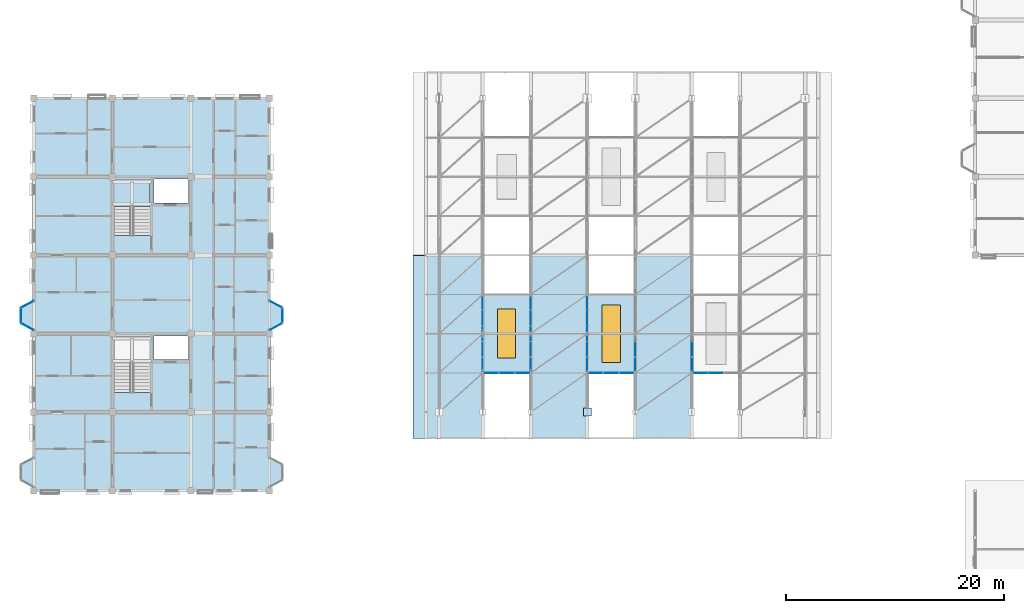
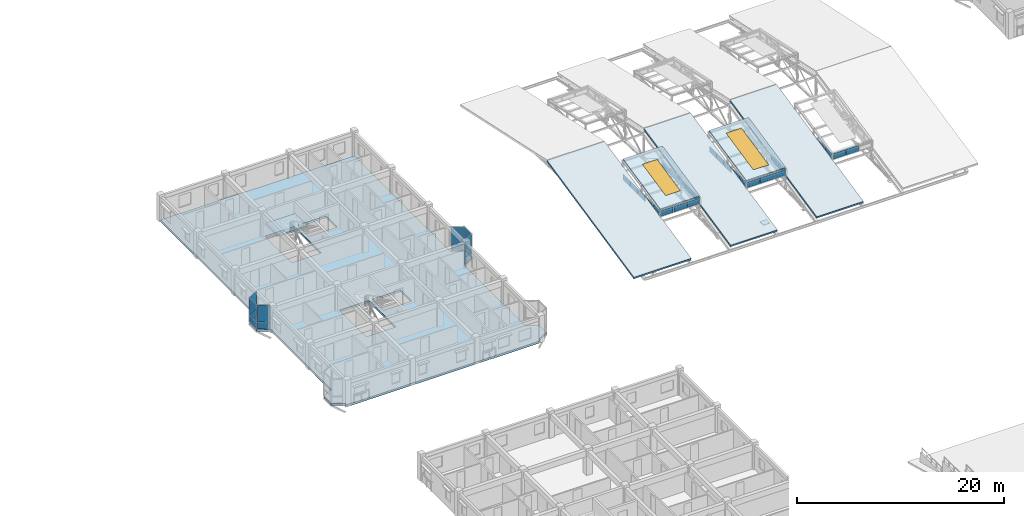
# One storey, part 79 of 124: 40 plates, 7 slabs, 2 windows, 2 openings, 15 elements without a shape of their own.
"""IFC4 building model written with IfcOpenShell, lengths in metres."""

import ifcopenshell
import ifcopenshell.guid

model = None  # the IFC model being written
_history = None  # IfcOwnerHistory: only IFC2X3 demands one
_inside = {}  # id of a spatial element -> (the spatial element, [elements in it])
_under = {}  # id of a project, library or spatial element -> (it, [spatial elements below it])
_declared = {}  # id of a project -> (the project, [libraries it declares])
_typed = {}  # id of a type object -> (the type object, [elements of that type])
_made_of = {}  # id of a material, layer set ... -> (it, [elements and type objects made of it])


def new_model(schema):
    """Start an empty IFC model of exactly this schema.

    Asked for "IFC4X3", IfcOpenShell would pick the latest addendum, in which some entities
    have other attributes; the version numbers below select the first issue.
    IFC2X3 requires an IfcOwnerHistory on every rooted entity: one is made here for all.
    """
    global model, _history
    if schema == "IFC4X3":
        model = ifcopenshell.file(schema_version=(4, 3, 0, 0))
    else:
        model = ifcopenshell.file(schema=schema)
    _inside.clear()
    _under.clear()
    _declared.clear()
    _typed.clear()
    _made_of.clear()
    _history = None
    if model.schema == "IFC2X3":
        org = make("IfcOrganization", Name="unknown")
        user = make(
            "IfcPersonAndOrganization",
            ThePerson=make("IfcPerson", FamilyName="unknown"),
            TheOrganization=org,
        )
        app = make(
            "IfcApplication",
            ApplicationDeveloper=org,
            Version="unknown",
            ApplicationFullName="unknown",
            ApplicationIdentifier="unknown",
        )
        _history = make(
            "IfcOwnerHistory",
            OwningUser=user,
            OwningApplication=app,
            ChangeAction="ADDED",
            CreationDate=0,
        )
    return model


def make(cls, **values):
    """One entity of the class cls with the attributes given. An attribute that is None is left unset."""
    return model.create_entity(
        cls, **{name: value for name, value in values.items() if value is not None}
    )


def rooted(cls, **values):
    """An entity with a GlobalId (a new one), such as an element, a storey or a relation."""
    return make(cls, GlobalId=ifcopenshell.guid.new(), OwnerHistory=_history, **values)


def si_unit(unit_type, name, prefix=None):
    """IfcSIUnit, for example si_unit("LENGTHUNIT", "METRE", prefix="MILLI")."""
    return make("IfcSIUnit", UnitType=unit_type, Prefix=prefix, Name=name)


def assignment(units):
    """IfcUnitAssignment: the units of a project."""
    return None if units is None else make("IfcUnitAssignment", Units=units)


def point(xyz):
    """IfcCartesianPoint."""
    return None if xyz is None else make("IfcCartesianPoint", Coordinates=xyz)


def direction(xyz):
    """IfcDirection."""
    return None if xyz is None else make("IfcDirection", DirectionRatios=xyz)


def frame(location, z_axis=None, x_axis=None):
    """IfcAxis2Placement3D, a coordinate frame: its origin and axes. An axis left out is left unset."""
    return make(
        "IfcAxis2Placement3D",
        Location=point(location),
        Axis=direction(z_axis),
        RefDirection=direction(x_axis),
    )


def frame_2d(location, x_axis=None):
    """IfcAxis2Placement2D, a coordinate frame in the plane: its origin and x axis."""
    return make(
        "IfcAxis2Placement2D", Location=point(location), RefDirection=direction(x_axis)
    )


def origin():
    """The frame at (0, 0, 0) with its axes left unset."""
    return frame((0.0, 0.0, 0.0))


def origin_2d():
    """The frame at (0, 0) in the plane with its x axis left unset."""
    return frame_2d((0.0, 0.0))


def place(relative_to, where):
    """IfcLocalPlacement: puts the frame where relative to a parent placement (None: the world)."""
    return make(
        "IfcLocalPlacement", PlacementRelTo=relative_to, RelativePlacement=where
    )


def context(
    kind, dimensions, precision=None, world=None, true_north=None, identifier=None
):
    """IfcGeometricRepresentationContext, for example the 3D "Model" context."""
    return make(
        "IfcGeometricRepresentationContext",
        ContextIdentifier=identifier,
        ContextType=kind,
        CoordinateSpaceDimension=dimensions,
        Precision=precision,
        WorldCoordinateSystem=world,
        TrueNorth=true_north,
    )


def subcontext(parent, identifier, kind, view, scale=None):
    """IfcGeometricRepresentationSubContext, for example "Body" below "Model"."""
    return make(
        "IfcGeometricRepresentationSubContext",
        ContextIdentifier=identifier,
        ContextType=kind,
        ParentContext=parent,
        TargetScale=scale,
        TargetView=view,
    )


def project(units=None, contexts=None):
    """IfcProject with its units and contexts."""
    return rooted(
        "IfcProject",
        Name="project",
        RepresentationContexts=contexts,
        UnitsInContext=assignment(units),
    )


def spatial(cls, under=None, at=None, **own):
    """A site, building, storey or space (cls), placed at a placement, below another one or the project."""
    s = rooted(cls, ObjectPlacement=at, **own)
    if under is not None:
        _under.setdefault(under.id(), (under, []))[1].append(s)
    return s


def polyline(points):
    """IfcPolyline through the points."""
    return make("IfcPolyline", Points=[point(p) for p in points])


def profile(cls, at=None, kind="AREA", **sizes):
    """A parametric profile (cls). Its sizes go by their IFC names, for example OverallWidth=200.0."""
    return make(cls, ProfileType=kind, Position=at, **sizes)


def rectangle(**sizes):
    """IfcRectangleProfileDef."""
    return profile("IfcRectangleProfileDef", **sizes)


def outline(outer, holes=None, kind="AREA"):
    """IfcArbitraryClosedProfileDef: a profile drawn as a closed curve; with holes, ...WithVoids."""
    if holes is None:
        return make("IfcArbitraryClosedProfileDef", ProfileType=kind, OuterCurve=outer)
    return make(
        "IfcArbitraryProfileDefWithVoids",
        ProfileType=kind,
        OuterCurve=outer,
        InnerCurves=holes,
    )


def extrude(swept, where, along, depth):
    """IfcExtrudedAreaSolid: the profile swept, set in the frame where, extruded along a direction by depth."""
    return make(
        "IfcExtrudedAreaSolid",
        SweptArea=swept,
        Position=where,
        ExtrudedDirection=direction(along),
        Depth=depth,
    )


def shape(context_of_items, identifier, shape_type, items):
    """IfcShapeRepresentation: the items that make up one representation, for example the "Body"."""
    return make(
        "IfcShapeRepresentation",
        ContextOfItems=context_of_items,
        RepresentationIdentifier=identifier,
        RepresentationType=shape_type,
        Items=items,
    )


def material(Name=None, Category=None):
    """IfcMaterial."""
    return make("IfcMaterial", Name=Name, Category=Category)


def layer(
    of_material, thickness, ventilated=None, Name=None, Category=None, Priority=None
):
    """IfcMaterialLayer: one layer of a wall or slab, of a material (None: an air gap)."""
    return make(
        "IfcMaterialLayer",
        Material=of_material,
        LayerThickness=thickness,
        IsVentilated=ventilated,
        Name=Name,
        Category=Category,
        Priority=Priority,
    )


def layer_set(layers, Name=None):
    """IfcMaterialLayerSet."""
    return make("IfcMaterialLayerSet", MaterialLayers=layers, LayerSetName=Name)


def made_of(thing, what):
    """Note that an element or type object is made of a material, layer set ...; save() writes the relation."""
    if what is not None:
        _made_of.setdefault(what.id(), (what, []))[1].append(thing)
    return thing


def type_object(cls, material=None, **own):
    """A type object (cls), such as IfcWallType, which elements share."""
    return made_of(rooted(cls, **own), material)


def element(
    cls,
    number,
    at=None,
    inside=None,
    cuts=None,
    type_object=None,
    material=None,
    context=None,
    identifier="Body",
    shape_type=None,
    held_by="IfcProductDefinitionShape",
    body=None,
    shapes=None,
    **own,
):
    """One element of the class cls, such as IfcWall. Its Tag is "e" and its number.

    at: its placement. inside: the storey or other place that contains it. cuts: it is an
    opening in that element (IfcRelVoidsElement). A single representation is given by context,
    identifier, shape_type and body (its items); several are given by shapes. held_by: the class
    of the entity that holds the representations. save() writes the other relations.
    """
    e = rooted(cls, Tag="e%d" % number, ObjectPlacement=at, **own)
    if body is not None:
        shapes = [shape(context, identifier, shape_type, body)]
    if shapes is not None:
        e.Representation = make(held_by, Representations=shapes)
    if inside is not None:
        _inside.setdefault(inside.id(), (inside, []))[1].append(e)
    if cuts is not None:
        rooted(
            "IfcRelVoidsElement", RelatingBuildingElement=cuts, RelatedOpeningElement=e
        )
    if type_object is not None:
        _typed.setdefault(type_object.id(), (type_object, []))[1].append(e)
    return made_of(e, material)


def fill(opening, filler):
    """IfcRelFillsElement: the door or window that sits in an opening."""
    return rooted(
        "IfcRelFillsElement",
        RelatingOpeningElement=opening,
        RelatedBuildingElement=filler,
    )


def aggregate(whole, parts):
    """IfcRelAggregates: a whole, such as a stair, and the parts it consists of."""
    return rooted("IfcRelAggregates", RelatingObject=whole, RelatedObjects=parts)


def save(model, path):
    """Write the relations noted so far, then the file.

    IfcRelAggregates (storeys below a building ...), IfcRelContainedInSpatialStructure (elements
    in a storey), IfcRelDefinesByType, IfcRelAssociatesMaterial and IfcRelDeclares: one each for
    every whole, place, type object, material and project.
    """
    for whole, parts in _under.values():
        aggregate(whole, parts)
    for where, things in _inside.values():
        rooted(
            "IfcRelContainedInSpatialStructure",
            RelatedElements=things,
            RelatingStructure=where,
        )
    for kind, things in _typed.values():
        rooted("IfcRelDefinesByType", RelatedObjects=things, RelatingType=kind)
    for what, things in _made_of.values():
        rooted("IfcRelAssociatesMaterial", RelatedObjects=things, RelatingMaterial=what)
    for by, libraries in _declared.values():
        rooted("IfcRelDeclares", RelatingContext=by, RelatedDefinitions=libraries)
    model.write(path)


model = new_model("IFC4")

# Units and contexts
model_context = context("Model", 3, precision=1e-05, world=origin(), true_north=direction((0.0, 1.0)))
body_context = subcontext(model_context, "Body", "Model", "MODEL_VIEW")
ifc_project = project(units=[si_unit("LENGTHUNIT", "METRE"), si_unit("AREAUNIT", "SQUARE_METRE"), si_unit("VOLUMEUNIT", "CUBIC_METRE"), si_unit("PLANEANGLEUNIT", "RADIAN"), si_unit("MASSUNIT", "GRAM", prefix="KILO"), si_unit("THERMODYNAMICTEMPERATUREUNIT", "KELVIN"), si_unit("POWERUNIT", "WATT")], contexts=[model_context])

# Site, building, storey
site_placement = place(None, origin())
site = spatial("IfcSite", under=ifc_project, at=site_placement, CompositionType="ELEMENT")
building_placement = place(site_placement, origin())
building = spatial("IfcBuilding", under=site, at=building_placement, Name="Tavuni Mirador Residences", CompositionType="ELEMENT")
storey_placement = place(building_placement, frame((0.0, 0.0, 7.64990234375)))
storey = spatial("IfcBuildingStorey", under=building, at=storey_placement, Name="L02", CompositionType="ELEMENT", Elevation=7.64990234375)

# Curtain wall, plate
ifc_material_1 = material(Name="Anodised aluminium", Category="aluminium")
ifc_layer_1 = layer(ifc_material_1, 0.1650390625, Name="Anodised aluminium", Category="aluminium")
ifc_layer_set_1 = layer_set([ifc_layer_1], Name="Anodised aluminium")
curtain_wall_type_1 = type_object("IfcCurtainWallType", Name="CWT-MIR-A", PredefinedType="NOTDEFINED", material=ifc_layer_set_1)
curtain_wall_1_placement = place(storey_placement, origin())
curtain_wall_1 = element("IfcCurtainWall", 1, at=curtain_wall_1_placement, inside=storey, type_object=curtain_wall_type_1, Name="CW-MIR-B-E2-L02-MF", PredefinedType="NOTDEFINED")
ifc_material_2 = material(Name="Laminated solar-control glass", Category="glass")
ifc_layer_2 = layer(ifc_material_2, 0.02392578125, Name="Laminated solar-control glass", Category="glass")
ifc_layer_set_2 = layer_set([ifc_layer_2], Name="Laminated solar-control glass")
plate_type_1 = type_object("IfcPlateType", Name="CWP-GL24", PredefinedType="CURTAIN_PANEL", material=ifc_layer_set_2)
plate_1_placement = place(storey_placement, frame((26.39990234375, 80.8701171875, 0.8798828125), z_axis=(0.0, 0.0, 1.0), x_axis=(0.0, 1.0, 0.0)))
plate_1 = element("IfcPlate", 2, at=plate_1_placement, type_object=plate_type_1, Name="CW-01 panel 1.2", PredefinedType="CURTAIN_PANEL", context=body_context, shape_type="SweptSolid", body=[
    extrude(rectangle(XDim=1.300048828125, YDim=0.02392578125, at=origin_2d()), origin(), (0.0, 0.0, 1.0), 1.969970703125),
])

curtain_wall_2_placement = place(storey_placement, origin())
curtain_wall_2 = element("IfcCurtainWall", 3, at=curtain_wall_2_placement, inside=storey, type_object=curtain_wall_type_1, Name="CW-MIR-B-W2-L02-M2", PredefinedType="NOTDEFINED")
plate_2_placement = place(storey_placement, frame((3.0, 79.830078125, 0.8798828125), z_axis=(0.0, 0.0, 1.0), x_axis=(0.876215908676, -0.481918749773, 0.0)))
plate_2 = element("IfcPlate", 4, at=plate_2_placement, type_object=plate_type_1, Name="CW-01 panel 1.2", PredefinedType="CURTAIN_PANEL", context=body_context, shape_type="SweptSolid", body=[
    extrude(rectangle(XDim=1.24951171875, YDim=0.02392578125, at=origin_2d()), origin(), (0.0, 0.0, 1.0), 1.969970703125),
])

# Curtain wall, plates
ifc_layer_3 = layer(ifc_material_1, 0.199951171875, Name="Anodised aluminium", Category="aluminium")
ifc_layer_set_3 = layer_set([ifc_layer_3], Name="Anodised aluminium")
curtain_wall_type_2 = type_object("IfcCurtainWallType", Name="CWT-HAL-01", PredefinedType="NOTDEFINED", material=ifc_layer_set_3)
curtain_wall_3_placement = place(storey_placement, origin())
curtain_wall_3 = element("IfcCurtainWall", 5, at=curtain_wall_3_placement, inside=storey, type_object=curtain_wall_type_2, Name="CW-HALL-MON-S1-W", PredefinedType="NOTDEFINED")
plate_3_placement = place(storey_placement, frame((44.800048828125, 76.3349609375, 1.235107421875), z_axis=(0.0, 0.0, 1.0), x_axis=(0.0, 1.0, 0.0)))
plate_3 = element("IfcPlate", 6, at=plate_3_placement, type_object=plate_type_1, Name="CW-06 panel 1.1", PredefinedType="CURTAIN_PANEL", context=body_context, shape_type="SweptSolid", body=[
    extrude(rectangle(XDim=1.35009765625, YDim=0.02392578125, at=origin_2d()), origin(), (0.0, 0.0, 1.0), 0.669921875),
])
plate_4_placement = place(storey_placement, frame((44.800048828125, 77.760009765625, 1.235107421875), z_axis=(0.0, 0.0, 1.0), x_axis=(0.0, 1.0, 0.0)))
plate_4 = element("IfcPlate", 7, at=plate_4_placement, type_object=plate_type_1, Name="CW-06 panel 2.1", PredefinedType="CURTAIN_PANEL", context=body_context, shape_type="SweptSolid", body=[
    extrude(rectangle(XDim=1.3798828125, YDim=0.02392578125, at=origin_2d()), origin(), (0.0, 0.0, 1.0), 0.669921875),
])
plate_5_placement = place(storey_placement, frame((44.800048828125, 79.199951171875, 1.235107421875), z_axis=(0.0, 0.0, 1.0), x_axis=(0.0, 1.0, 0.0)))
plate_5 = element("IfcPlate", 8, at=plate_5_placement, type_object=plate_type_1, Name="CW-06 panel 3.1", PredefinedType="CURTAIN_PANEL", context=body_context, shape_type="SweptSolid", body=[
    extrude(rectangle(XDim=1.3798828125, YDim=0.02392578125, at=origin_2d()), origin(), (0.0, 0.0, 1.0), 0.669921875),
])
plate_6_placement = place(storey_placement, frame((44.800048828125, 80.639892578125, 1.235107421875), z_axis=(0.0, 0.0, 1.0), x_axis=(0.0, 1.0, 0.0)))
plate_6 = element("IfcPlate", 9, at=plate_6_placement, type_object=plate_type_1, Name="CW-06 panel 4.1", PredefinedType="CURTAIN_PANEL", context=body_context, shape_type="SweptSolid", body=[
    extrude(rectangle(XDim=1.3798828125, YDim=0.02392578125, at=origin_2d()), origin(), (0.0, 0.0, 1.0), 0.669921875),
])
plate_7_placement = place(storey_placement, frame((44.800048828125, 82.06494140625, 1.235107421875), z_axis=(0.0, 0.0, 1.0), x_axis=(0.0, 1.0, 0.0)))
plate_7 = element("IfcPlate", 10, at=plate_7_placement, type_object=plate_type_1, Name="CW-06 panel 5.1", PredefinedType="CURTAIN_PANEL", context=body_context, shape_type="SweptSolid", body=[
    extrude(rectangle(XDim=1.35009765625, YDim=0.02392578125, at=origin_2d()), origin(), (0.0, 0.0, 1.0), 0.669921875),
])
aggregate(curtain_wall_3, [plate_3, plate_4, plate_5, plate_6, plate_7])

curtain_wall_4_placement = place(storey_placement, origin())
curtain_wall_4 = element("IfcCurtainWall", 11, at=curtain_wall_4_placement, inside=storey, type_object=curtain_wall_type_2, Name="CW-HALL-MON-S1-E", PredefinedType="NOTDEFINED")
plate_8_placement = place(storey_placement, frame((49.199951171875, 76.3349609375, 1.235107421875), z_axis=(0.0, 0.0, 1.0), x_axis=(0.0, 1.0, 0.0)))
plate_8 = element("IfcPlate", 12, at=plate_8_placement, type_object=plate_type_1, Name="CW-06 panel 1.1", PredefinedType="CURTAIN_PANEL", context=body_context, shape_type="SweptSolid", body=[
    extrude(rectangle(XDim=1.35009765625, YDim=0.02392578125, at=origin_2d()), origin(), (0.0, 0.0, 1.0), 0.669921875),
])
plate_9_placement = place(storey_placement, frame((49.199951171875, 77.760009765625, 1.235107421875), z_axis=(0.0, 0.0, 1.0), x_axis=(0.0, 1.0, 0.0)))
plate_9 = element("IfcPlate", 13, at=plate_9_placement, type_object=plate_type_1, Name="CW-06 panel 2.1", PredefinedType="CURTAIN_PANEL", context=body_context, shape_type="SweptSolid", body=[
    extrude(rectangle(XDim=1.3798828125, YDim=0.02392578125, at=origin_2d()), origin(), (0.0, 0.0, 1.0), 0.669921875),
])
plate_10_placement = place(storey_placement, frame((49.199951171875, 79.199951171875, 1.235107421875), z_axis=(0.0, 0.0, 1.0), x_axis=(0.0, 1.0, 0.0)))
plate_10 = element("IfcPlate", 14, at=plate_10_placement, type_object=plate_type_1, Name="CW-06 panel 3.1", PredefinedType="CURTAIN_PANEL", context=body_context, shape_type="SweptSolid", body=[
    extrude(rectangle(XDim=1.3798828125, YDim=0.02392578125, at=origin_2d()), origin(), (0.0, 0.0, 1.0), 0.669921875),
])
plate_11_placement = place(storey_placement, frame((49.199951171875, 80.639892578125, 1.235107421875), z_axis=(0.0, 0.0, 1.0), x_axis=(0.0, 1.0, 0.0)))
plate_11 = element("IfcPlate", 15, at=plate_11_placement, type_object=plate_type_1, Name="CW-06 panel 4.1", PredefinedType="CURTAIN_PANEL", context=body_context, shape_type="SweptSolid", body=[
    extrude(rectangle(XDim=1.3798828125, YDim=0.02392578125, at=origin_2d()), origin(), (0.0, 0.0, 1.0), 0.669921875),
])
plate_12_placement = place(storey_placement, frame((49.199951171875, 82.06494140625, 1.235107421875), z_axis=(0.0, 0.0, 1.0), x_axis=(0.0, 1.0, 0.0)))
plate_12 = element("IfcPlate", 16, at=plate_12_placement, type_object=plate_type_1, Name="CW-06 panel 5.1", PredefinedType="CURTAIN_PANEL", context=body_context, shape_type="SweptSolid", body=[
    extrude(rectangle(XDim=1.35009765625, YDim=0.02392578125, at=origin_2d()), origin(), (0.0, 0.0, 1.0), 0.669921875),
])
aggregate(curtain_wall_4, [plate_8, plate_9, plate_10, plate_11, plate_12])

curtain_wall_5_placement = place(storey_placement, origin())
curtain_wall_5 = element("IfcCurtainWall", 17, at=curtain_wall_5_placement, inside=storey, type_object=curtain_wall_type_2, Name="CW-HALL-MON-S2-W", PredefinedType="NOTDEFINED")
plate_13_placement = place(storey_placement, frame((54.39990234375, 76.3349609375, 1.235107421875), z_axis=(0.0, 0.0, 1.0), x_axis=(0.0, 1.0, 0.0)))
plate_13 = element("IfcPlate", 18, at=plate_13_placement, type_object=plate_type_1, Name="CW-06 panel 1.1", PredefinedType="CURTAIN_PANEL", context=body_context, shape_type="SweptSolid", body=[
    extrude(rectangle(XDim=1.35009765625, YDim=0.02392578125, at=origin_2d()), origin(), (0.0, 0.0, 1.0), 0.669921875),
])
plate_14_placement = place(storey_placement, frame((54.39990234375, 77.760009765625, 1.235107421875), z_axis=(0.0, 0.0, 1.0), x_axis=(0.0, 1.0, 0.0)))
plate_14 = element("IfcPlate", 19, at=plate_14_placement, type_object=plate_type_1, Name="CW-06 panel 2.1", PredefinedType="CURTAIN_PANEL", context=body_context, shape_type="SweptSolid", body=[
    extrude(rectangle(XDim=1.3798828125, YDim=0.02392578125, at=origin_2d()), origin(), (0.0, 0.0, 1.0), 0.669921875),
])
plate_15_placement = place(storey_placement, frame((54.39990234375, 79.199951171875, 1.235107421875), z_axis=(0.0, 0.0, 1.0), x_axis=(0.0, 1.0, 0.0)))
plate_15 = element("IfcPlate", 20, at=plate_15_placement, type_object=plate_type_1, Name="CW-06 panel 3.1", PredefinedType="CURTAIN_PANEL", context=body_context, shape_type="SweptSolid", body=[
    extrude(rectangle(XDim=1.3798828125, YDim=0.02392578125, at=origin_2d()), origin(), (0.0, 0.0, 1.0), 0.669921875),
])
plate_16_placement = place(storey_placement, frame((54.39990234375, 80.639892578125, 1.235107421875), z_axis=(0.0, 0.0, 1.0), x_axis=(0.0, 1.0, 0.0)))
plate_16 = element("IfcPlate", 21, at=plate_16_placement, type_object=plate_type_1, Name="CW-06 panel 4.1", PredefinedType="CURTAIN_PANEL", context=body_context, shape_type="SweptSolid", body=[
    extrude(rectangle(XDim=1.3798828125, YDim=0.02392578125, at=origin_2d()), origin(), (0.0, 0.0, 1.0), 0.669921875),
])
plate_17_placement = place(storey_placement, frame((54.39990234375, 82.06494140625, 1.235107421875), z_axis=(0.0, 0.0, 1.0), x_axis=(0.0, 1.0, 0.0)))
plate_17 = element("IfcPlate", 22, at=plate_17_placement, type_object=plate_type_1, Name="CW-06 panel 5.1", PredefinedType="CURTAIN_PANEL", context=body_context, shape_type="SweptSolid", body=[
    extrude(rectangle(XDim=1.35009765625, YDim=0.02392578125, at=origin_2d()), origin(), (0.0, 0.0, 1.0), 0.669921875),
])
aggregate(curtain_wall_5, [plate_13, plate_14, plate_15, plate_16, plate_17])

curtain_wall_6_placement = place(storey_placement, origin())
curtain_wall_6 = element("IfcCurtainWall", 23, at=curtain_wall_6_placement, inside=storey, type_object=curtain_wall_type_2, Name="CW-HALL-MON-S2-E", PredefinedType="NOTDEFINED")
plate_18_placement = place(storey_placement, frame((58.800048828125, 76.3349609375, 1.235107421875), z_axis=(0.0, 0.0, 1.0), x_axis=(0.0, 1.0, 0.0)))
plate_18 = element("IfcPlate", 24, at=plate_18_placement, type_object=plate_type_1, Name="CW-06 panel 1.1", PredefinedType="CURTAIN_PANEL", context=body_context, shape_type="SweptSolid", body=[
    extrude(rectangle(XDim=1.35009765625, YDim=0.02392578125, at=origin_2d()), origin(), (0.0, 0.0, 1.0), 0.669921875),
])
plate_19_placement = place(storey_placement, frame((58.800048828125, 77.760009765625, 1.235107421875), z_axis=(0.0, 0.0, 1.0), x_axis=(0.0, 1.0, 0.0)))
plate_19 = element("IfcPlate", 25, at=plate_19_placement, type_object=plate_type_1, Name="CW-06 panel 2.1", PredefinedType="CURTAIN_PANEL", context=body_context, shape_type="SweptSolid", body=[
    extrude(rectangle(XDim=1.3798828125, YDim=0.02392578125, at=origin_2d()), origin(), (0.0, 0.0, 1.0), 0.669921875),
])
aggregate(curtain_wall_6, [plate_18, plate_19])

curtain_wall_7_placement = place(storey_placement, origin())
curtain_wall_7 = element("IfcCurtainWall", 26, at=curtain_wall_7_placement, inside=storey, type_object=curtain_wall_type_2, Name="CW-HALL-MON-S3-W", PredefinedType="NOTDEFINED")
plate_20_placement = place(storey_placement, frame((64.0, 76.3349609375, 1.235107421875), z_axis=(0.0, 0.0, 1.0), x_axis=(0.0, 1.0, 0.0)))
plate_20 = element("IfcPlate", 27, at=plate_20_placement, type_object=plate_type_1, Name="CW-06 panel 1.1", PredefinedType="CURTAIN_PANEL", context=body_context, shape_type="SweptSolid", body=[
    extrude(rectangle(XDim=1.35009765625, YDim=0.02392578125, at=origin_2d()), origin(), (0.0, 0.0, 1.0), 0.669921875),
])
plate_21_placement = place(storey_placement, frame((64.0, 77.760009765625, 1.235107421875), z_axis=(0.0, 0.0, 1.0), x_axis=(0.0, 1.0, 0.0)))
plate_21 = element("IfcPlate", 28, at=plate_21_placement, type_object=plate_type_1, Name="CW-06 panel 2.1", PredefinedType="CURTAIN_PANEL", context=body_context, shape_type="SweptSolid", body=[
    extrude(rectangle(XDim=1.3798828125, YDim=0.02392578125, at=origin_2d()), origin(), (0.0, 0.0, 1.0), 0.669921875),
])
aggregate(curtain_wall_7, [plate_20, plate_21])

# Curtain wall, plate
ifc_layer_4 = layer(ifc_material_1, 0.14990234375, Name="Anodised aluminium", Category="aluminium")
ifc_layer_set_4 = layer_set([ifc_layer_4], Name="Anodised aluminium")
curtain_wall_type_3 = type_object("IfcCurtainWallType", Name="CWT-MIR-B", PredefinedType="NOTDEFINED", material=ifc_layer_set_4)
curtain_wall_8_placement = place(storey_placement, origin())
curtain_wall_8 = element("IfcCurtainWall", 29, at=curtain_wall_8_placement, inside=storey, type_object=curtain_wall_type_3, Name="CW-MIR-B-E2-L02-M2", PredefinedType="NOTDEFINED")
ifc_layer_5 = layer(ifc_material_2, 0.028076171875, Name="Laminated solar-control glass", Category="glass")
ifc_layer_set_5 = layer_set([ifc_layer_5], Name="Laminated solar-control glass")
plate_type_2 = type_object("IfcPlateType", Name="CWP-GL28", PredefinedType="CURTAIN_PANEL", material=ifc_layer_set_5)
plate_22_placement = place(storey_placement, frame((25.800048828125, 81.89990234375, 0.882568359375), z_axis=(0.0, 0.0, 1.0), x_axis=(-0.882352941175, 0.470588235296, 0.0)))
plate_22 = element("IfcPlate", 30, at=plate_22_placement, type_object=plate_type_2, Name="CW-02 panel 1.2", PredefinedType="CURTAIN_PANEL", context=body_context, shape_type="SweptSolid", body=[
    extrude(rectangle(XDim=1.22998046875, YDim=0.028076171875, at=origin_2d()), origin(), (0.0, 0.0, 1.0), 1.96240234375),
])

# Curtain wall, plates
curtain_wall_9_placement = place(storey_placement, origin())
curtain_wall_9 = element("IfcCurtainWall", 31, at=curtain_wall_9_placement, inside=storey, type_object=curtain_wall_type_2, Name="CW-HALL-MON-S1-END", PredefinedType="NOTDEFINED")
plate_23_placement = place(storey_placement, frame((45.54833984375, 75.60009765625, 1.235107421875), z_axis=(0.0, 0.0, 1.0), x_axis=(1.0, 0.0, 0.0)))
plate_23 = element("IfcPlate", 32, at=plate_23_placement, type_object=plate_type_2, Name="CW-06 panel 1.1", PredefinedType="CURTAIN_PANEL", context=body_context, shape_type="SweptSolid", body=[
    extrude(rectangle(XDim=1.376708984375, YDim=0.028076171875, at=origin_2d()), origin(), (0.0, 0.0, 1.0), 0.669921875),
])
plate_24_placement = place(storey_placement, frame((47.0, 75.60009765625, 1.235107421875), z_axis=(0.0, 0.0, 1.0), x_axis=(1.0, 0.0, 0.0)))
plate_24 = element("IfcPlate", 33, at=plate_24_placement, type_object=plate_type_2, Name="CW-06 panel 2.1", PredefinedType="CURTAIN_PANEL", context=body_context, shape_type="SweptSolid", body=[
    extrude(rectangle(XDim=1.40673828125, YDim=0.028076171875, at=origin_2d()), origin(), (0.0, 0.0, 1.0), 0.669921875),
])
plate_25_placement = place(storey_placement, frame((48.45166015625, 75.60009765625, 1.235107421875), z_axis=(0.0, 0.0, 1.0), x_axis=(1.0, 0.0, 0.0)))
plate_25 = element("IfcPlate", 34, at=plate_25_placement, type_object=plate_type_2, Name="CW-06 panel 3.1", PredefinedType="CURTAIN_PANEL", context=body_context, shape_type="SweptSolid", body=[
    extrude(rectangle(XDim=1.376708984375, YDim=0.028076171875, at=origin_2d()), origin(), (0.0, 0.0, 1.0), 0.669921875),
])
aggregate(curtain_wall_9, [plate_23, plate_24, plate_25])

curtain_wall_10_placement = place(storey_placement, origin())
curtain_wall_10 = element("IfcCurtainWall", 35, at=curtain_wall_10_placement, inside=storey, type_object=curtain_wall_type_2, Name="CW-HALL-MON-S2-END", PredefinedType="NOTDEFINED")
plate_26_placement = place(storey_placement, frame((55.1484375, 75.60009765625, 1.235107421875), z_axis=(0.0, 0.0, 1.0), x_axis=(1.0, 0.0, 0.0)))
plate_26 = element("IfcPlate", 36, at=plate_26_placement, type_object=plate_type_2, Name="CW-06 panel 1.1", PredefinedType="CURTAIN_PANEL", context=body_context, shape_type="SweptSolid", body=[
    extrude(rectangle(XDim=1.376708984375, YDim=0.028076171875, at=origin_2d()), origin(), (0.0, 0.0, 1.0), 0.669921875),
])
plate_27_placement = place(storey_placement, frame((56.60009765625, 75.60009765625, 1.235107421875), z_axis=(0.0, 0.0, 1.0), x_axis=(1.0, 0.0, 0.0)))
plate_27 = element("IfcPlate", 37, at=plate_27_placement, type_object=plate_type_2, Name="CW-06 panel 2.1", PredefinedType="CURTAIN_PANEL", context=body_context, shape_type="SweptSolid", body=[
    extrude(rectangle(XDim=1.40673828125, YDim=0.028076171875, at=origin_2d()), origin(), (0.0, 0.0, 1.0), 0.669921875),
])
plate_28_placement = place(storey_placement, frame((58.0517578125, 75.60009765625, 1.235107421875), z_axis=(0.0, 0.0, 1.0), x_axis=(1.0, 0.0, 0.0)))
plate_28 = element("IfcPlate", 38, at=plate_28_placement, type_object=plate_type_2, Name="CW-06 panel 3.1", PredefinedType="CURTAIN_PANEL", context=body_context, shape_type="SweptSolid", body=[
    extrude(rectangle(XDim=1.376708984375, YDim=0.028076171875, at=origin_2d()), origin(), (0.0, 0.0, 1.0), 0.669921875),
])
aggregate(curtain_wall_10, [plate_26, plate_27, plate_28])

curtain_wall_11_placement = place(storey_placement, origin())
curtain_wall_11 = element("IfcCurtainWall", 39, at=curtain_wall_11_placement, inside=storey, type_object=curtain_wall_type_2, Name="CW-HALL-MON-S3-END", PredefinedType="NOTDEFINED")
plate_29_placement = place(storey_placement, frame((64.748291015625, 75.60009765625, 1.235107421875), z_axis=(0.0, 0.0, 1.0), x_axis=(1.0, 0.0, 0.0)))
plate_29 = element("IfcPlate", 40, at=plate_29_placement, type_object=plate_type_2, Name="CW-06 panel 1.1", PredefinedType="CURTAIN_PANEL", context=body_context, shape_type="SweptSolid", body=[
    extrude(rectangle(XDim=1.376708984375, YDim=0.028076171875, at=origin_2d()), origin(), (0.0, 0.0, 1.0), 0.669921875),
])
plate_30_placement = place(storey_placement, frame((66.199951171875, 75.60009765625, 1.235107421875), z_axis=(0.0, 0.0, 1.0), x_axis=(1.0, 0.0, 0.0)))
plate_30 = element("IfcPlate", 41, at=plate_30_placement, type_object=plate_type_2, Name="CW-06 panel 2.1", PredefinedType="CURTAIN_PANEL", context=body_context, shape_type="SweptSolid", body=[
    extrude(rectangle(XDim=1.40673828125, YDim=0.028076171875, at=origin_2d()), origin(), (0.0, 0.0, 1.0), 0.669921875),
])
aggregate(curtain_wall_11, [plate_29, plate_30])

# Curtain wall, plate
ifc_layer_6 = layer(ifc_material_1, 0.175048828125, Name="Anodised aluminium", Category="aluminium")
ifc_layer_set_6 = layer_set([ifc_layer_6], Name="Anodised aluminium")
curtain_wall_type_4 = type_object("IfcCurtainWallType", Name="CWT-MIR-C", PredefinedType="NOTDEFINED", material=ifc_layer_set_6)
curtain_wall_12_placement = place(storey_placement, origin())
curtain_wall_12 = element("IfcCurtainWall", 42, at=curtain_wall_12_placement, inside=storey, type_object=curtain_wall_type_4, Name="CW-MIR-B-W2-L02-M1", PredefinedType="NOTDEFINED")
ifc_layer_7 = layer(ifc_material_2, 0.031982421875, Name="Laminated solar-control glass", Category="glass")
ifc_layer_set_7 = layer_set([ifc_layer_7], Name="Laminated solar-control glass")
plate_type_3 = type_object("IfcPlateType", Name="CWP-GL32", PredefinedType="CURTAIN_PANEL", material=ifc_layer_set_7)
plate_31_placement = place(storey_placement, frame((3.0, 81.89990234375, 0.8798828125), z_axis=(0.0, 0.0, 1.0), x_axis=(-0.882352941175, -0.470588235296, 0.0)))
plate_31 = element("IfcPlate", 43, at=plate_31_placement, type_object=plate_type_3, Name="CW-03 panel 1.2", PredefinedType="CURTAIN_PANEL", context=body_context, shape_type="SweptSolid", body=[
    extrude(rectangle(XDim=1.239990234375, YDim=0.031982421875, at=origin_2d()), origin(), (0.0, 0.0, 1.0), 1.969970703125),
])

ifc_layer_8 = layer(ifc_material_1, 0.159912109375, Name="Anodised aluminium", Category="aluminium")
ifc_layer_set_8 = layer_set([ifc_layer_8], Name="Anodised aluminium")
curtain_wall_type_5 = type_object("IfcCurtainWallType", Name="CWT-MIR-D", PredefinedType="NOTDEFINED", material=ifc_layer_set_8)
curtain_wall_13_placement = place(storey_placement, origin())
curtain_wall_13 = element("IfcCurtainWall", 44, at=curtain_wall_13_placement, inside=storey, type_object=curtain_wall_type_5, Name="CW-MIR-B-E2-L02-M1", PredefinedType="NOTDEFINED")
ifc_layer_9 = layer(ifc_material_2, 0.035888671875, Name="Laminated solar-control glass", Category="glass")
ifc_layer_set_9 = layer_set([ifc_layer_9], Name="Laminated solar-control glass")
plate_type_4 = type_object("IfcPlateType", Name="CWP-GL36", PredefinedType="CURTAIN_PANEL", material=ifc_layer_set_9)
plate_32_placement = place(storey_placement, frame((25.800048828125, 79.830078125, 0.882568359375), z_axis=(0.0, 0.0, 1.0), x_axis=(0.876215908676, 0.481918749773, 0.0)))
plate_32 = element("IfcPlate", 45, at=plate_32_placement, type_object=plate_type_4, Name="CW-04 panel 1.2", PredefinedType="CURTAIN_PANEL", context=body_context, shape_type="SweptSolid", body=[
    extrude(rectangle(XDim=1.239501953125, YDim=0.035888671875, at=origin_2d()), origin(), (0.0, 0.0, 1.0), 1.96240234375),
])

curtain_wall_14_placement = place(storey_placement, origin())
curtain_wall_14 = element("IfcCurtainWall", 46, at=curtain_wall_14_placement, inside=storey, type_object=curtain_wall_type_5, Name="CW-MIR-B-W2-L02-MF", PredefinedType="NOTDEFINED")
plate_33_placement = place(storey_placement, frame((2.39990234375, 80.8701171875, 0.882568359375), z_axis=(0.0, 0.0, 1.0), x_axis=(0.0, -1.0, 0.0)))
plate_33 = element("IfcPlate", 47, at=plate_33_placement, type_object=plate_type_4, Name="CW-04 panel 1.2", PredefinedType="CURTAIN_PANEL", context=body_context, shape_type="SweptSolid", body=[
    extrude(rectangle(XDim=1.2900390625, YDim=0.035888671875, at=origin_2d()), origin(), (0.0, 0.0, 1.0), 1.96240234375),
])

# Plate
ifc_material_3 = material(Name="Ceramic trencadis mosaic panel", Category="masonry")
ifc_layer_10 = layer(ifc_material_3, 0.0419921875, Name="Ceramic trencadis mosaic panel", Category="masonry")
ifc_layer_set_10 = layer_set([ifc_layer_10], Name="Ceramic trencadis mosaic panel")
plate_type_5 = type_object("IfcPlateType", Name="CWP-SP42", PredefinedType="CURTAIN_PANEL", material=ifc_layer_set_10)
plate_34_placement = place(storey_placement, frame((26.39990234375, 80.8701171875, 0.06005859375), z_axis=(0.0, 0.0, 1.0), x_axis=(0.0, 1.0, 0.0)))
plate_34 = element("IfcPlate", 48, at=plate_34_placement, type_object=plate_type_5, Name="CW-01 panel 1.1", PredefinedType="CURTAIN_PANEL", context=body_context, shape_type="SweptSolid", body=[
    extrude(rectangle(XDim=1.300048828125, YDim=0.0419921875, at=origin_2d()), origin(), (0.0, 0.0, 1.0), 0.760009765625),
])

aggregate(curtain_wall_1, [plate_34, plate_1])

plate_35_placement = place(storey_placement, frame((3.0, 81.89990234375, 0.06005859375), z_axis=(0.0, 0.0, 1.0), x_axis=(-0.882352941175, -0.470588235296, 0.0)))
plate_35 = element("IfcPlate", 49, at=plate_35_placement, type_object=plate_type_5, Name="CW-03 panel 1.1", PredefinedType="CURTAIN_PANEL", context=body_context, shape_type="SweptSolid", body=[
    extrude(rectangle(XDim=1.239990234375, YDim=0.0419921875, at=origin_2d()), origin(), (0.0, 0.0, 1.0), 0.760009765625),
])

aggregate(curtain_wall_12, [plate_35, plate_31])

plate_36_placement = place(storey_placement, frame((3.0, 79.830078125, 0.06005859375), z_axis=(0.0, 0.0, 1.0), x_axis=(0.876215908676, -0.481918749773, 0.0)))
plate_36 = element("IfcPlate", 50, at=plate_36_placement, type_object=plate_type_5, Name="CW-01 panel 1.1", PredefinedType="CURTAIN_PANEL", context=body_context, shape_type="SweptSolid", body=[
    extrude(rectangle(XDim=1.24951171875, YDim=0.0419921875, at=origin_2d()), origin(), (0.0, 0.0, 1.0), 0.760009765625),
])

aggregate(curtain_wall_2, [plate_36, plate_2])

ifc_layer_11 = layer(ifc_material_3, 0.048095703125, Name="Ceramic trencadis mosaic panel", Category="masonry")
ifc_layer_set_11 = layer_set([ifc_layer_11], Name="Ceramic trencadis mosaic panel")
plate_type_6 = type_object("IfcPlateType", Name="CWP-SP48", PredefinedType="CURTAIN_PANEL", material=ifc_layer_set_11)
plate_37_placement = place(storey_placement, frame((25.800048828125, 79.830078125, 0.065185546875), z_axis=(0.0, 0.0, 1.0), x_axis=(0.876215908676, 0.481918749773, 0.0)))
plate_37 = element("IfcPlate", 51, at=plate_37_placement, type_object=plate_type_6, Name="CW-04 panel 1.1", PredefinedType="CURTAIN_PANEL", context=body_context, shape_type="SweptSolid", body=[
    extrude(rectangle(XDim=1.239501953125, YDim=0.048095703125, at=origin_2d()), origin(), (0.0, 0.0, 1.0), 0.75244140625),
])

aggregate(curtain_wall_13, [plate_37, plate_32])

plate_38_placement = place(storey_placement, frame((25.800048828125, 81.89990234375, 0.065185546875), z_axis=(0.0, 0.0, 1.0), x_axis=(-0.882352941175, 0.470588235296, 0.0)))
plate_38 = element("IfcPlate", 52, at=plate_38_placement, type_object=plate_type_6, Name="CW-02 panel 1.1", PredefinedType="CURTAIN_PANEL", context=body_context, shape_type="SweptSolid", body=[
    extrude(rectangle(XDim=1.22998046875, YDim=0.048095703125, at=origin_2d()), origin(), (0.0, 0.0, 1.0), 0.75244140625),
])

aggregate(curtain_wall_8, [plate_38, plate_22])

plate_39_placement = place(storey_placement, frame((2.39990234375, 80.8701171875, 0.065185546875), z_axis=(0.0, 0.0, 1.0), x_axis=(0.0, -1.0, 0.0)))
plate_39 = element("IfcPlate", 53, at=plate_39_placement, type_object=plate_type_6, Name="CW-04 panel 1.1", PredefinedType="CURTAIN_PANEL", context=body_context, shape_type="SweptSolid", body=[
    extrude(rectangle(XDim=1.2900390625, YDim=0.048095703125, at=origin_2d()), origin(), (0.0, 0.0, 1.0), 0.75244140625),
])

aggregate(curtain_wall_14, [plate_39, plate_33])

ifc_material_4 = material(Name="Structural steel S355", Category="steel")
ifc_layer_12 = layer(ifc_material_4, 0.028076171875, Name="Structural steel S355", Category="steel")
ifc_layer_set_12 = layer_set([ifc_layer_12], Name="Structural steel S355")
plate_type_7 = type_object("IfcPlateType", Name="PLT-BP07", PredefinedType="USERDEFINED", material=ifc_layer_set_12)
plate_40_placement = place(storey_placement, frame((54.39990234375, 72.0, -0.65380859375), z_axis=(0.0, 0.0, 1.0), x_axis=(1.0, 0.0, 0.0)))
element("IfcPlate", 54, at=plate_40_placement, inside=storey, type_object=plate_type_7, Name="TR-4-BP-S", ObjectType="BASE PLATE", PredefinedType="USERDEFINED", context=body_context, shape_type="SweptSolid", body=[
    extrude(rectangle(XDim=0.739990234375, YDim=0.739990234375, at=origin_2d()), origin(), (0.0, 0.0, 1.0), 0.028076171875),
])

# Slab
ifc_material_5 = material(Name="Prestressed concrete C45/55", Category="concrete")
ifc_layer_13 = layer(ifc_material_5, 0.239990234375, Name="Prestressed concrete C45/55", Category="concrete")
ifc_layer_set_13 = layer_set([ifc_layer_13], Name="Prestressed concrete C45/55")
slab_type_1 = type_object("IfcSlabType", Name="SLT-FLR240", PredefinedType="FLOOR", material=ifc_layer_set_13)
slab_1_placement = place(storey_placement, frame((0.0, 0.0, -0.239990234375)))
element("IfcSlab", 55, at=slab_1_placement, inside=storey, type_object=slab_type_1, Name="SLB-BLK-B-L02", PredefinedType="FLOOR", context=body_context, shape_type="SweptSolid", body=[
    extrude(outline(polyline([(3.60009765625, 64.800048828125), (25.199951171875, 64.800048828125), (25.199951171875, 65.10009765625), (26.39990234375, 65.760009765625), (26.39990234375, 67.179931640625), (25.199951171875, 67.820068359375), (25.199951171875, 79.5), (26.39990234375, 80.159912109375), (26.39990234375, 81.580078125), (25.199951171875, 82.219970703125), (25.199951171875, 100.800048828125), (3.60009765625, 100.800048828125), (3.60009765625, 82.219970703125), (2.39990234375, 81.580078125), (2.39990234375, 80.159912109375), (3.60009765625, 79.5), (3.60009765625, 67.820068359375), (2.39990234375, 67.179931640625), (2.39990234375, 65.760009765625), (3.60009765625, 65.10009765625), (3.60009765625, 64.800048828125)]), holes=[polyline([(10.9599609375, 73.80810546875), (14.239990234375, 73.80810546875), (14.239990234375, 78.9599609375), (10.9599609375, 78.9599609375), (10.9599609375, 73.80810546875)]), polyline([(14.6201171875, 76.820068359375), (17.780029296875, 76.820068359375), (17.780029296875, 78.97998046875), (14.6201171875, 78.97998046875), (14.6201171875, 76.820068359375)]), polyline([(10.9599609375, 88.2080078125), (14.239990234375, 88.2080078125), (14.239990234375, 93.360107421875), (10.9599609375, 93.360107421875), (10.9599609375, 88.2080078125)]), polyline([(14.6201171875, 91.219970703125), (17.780029296875, 91.219970703125), (17.780029296875, 93.3798828125), (14.6201171875, 93.3798828125), (14.6201171875, 91.219970703125)])]), origin(), (0.0, 0.0, 1.0), 0.239990234375),
])

# Stair, slab
ifc_material_6 = material(Name="Precast concrete C40/50", Category="concrete")
stair_type = type_object("IfcStairType", Name="STT-TYP", PredefinedType="HALF_TURN_STAIR", material=ifc_material_6)
stair_placement = place(storey_placement, origin())
stair = element("IfcStair", 56, at=stair_placement, inside=storey, type_object=stair_type, Name="Protected exit stair ST4 (L02)", PredefinedType="HALF_TURN_STAIR")
ifc_layer_14 = layer(ifc_material_6, 0.179931640625, Name="Precast concrete C40/50", Category="concrete")
ifc_layer_set_14 = layer_set([ifc_layer_14], Name="Precast concrete C40/50")
slab_type_2 = type_object("IfcSlabType", Name="SLT-LND180", PredefinedType="LANDING", material=ifc_layer_set_14)
slab_2_placement = place(storey_placement, frame((0.0, 0.0, 1.39501953125)))
slab_2 = element("IfcSlab", 57, at=slab_2_placement, type_object=slab_type_2, Name="ST4 landing 1", PredefinedType="LANDING", context=body_context, shape_type="SweptSolid", body=[
    extrude(outline(polyline([(10.93994140625, 90.89208984375), (14.260009765625, 90.89208984375), (14.260009765625, 93.300048828125), (10.93994140625, 93.300048828125), (10.93994140625, 90.89208984375)])), origin(), (0.0, 0.0, 1.0), 0.18017578125),
])
aggregate(stair, [slab_2])

# Slab, opening, window
ifc_layer_15 = layer(ifc_material_6, 0.155029296875, Name="Precast concrete C40/50", Category="concrete")
ifc_layer_set_15 = layer_set([ifc_layer_15], Name="Precast concrete C40/50")
slab_type_3 = type_object("IfcSlabType", Name="SLT-RF155", PredefinedType="ROOF", material=ifc_layer_set_15)
slab_3_placement = place(storey_placement, frame((44.800048828125, 75.60009765625, 2.125), z_axis=(0.0, -0.21046396071, 0.977601616837), x_axis=(1.0, 0.0, 0.0)))
slab_3 = element("IfcSlab", 58, at=slab_3_placement, inside=storey, type_object=slab_type_3, Name="Community Hall clerestory monitor 1 S roof cap", PredefinedType="ROOF", context=body_context, shape_type="SweptSolid", body=[
    extrude(outline(polyline([(0.0, 0.0), (4.39990234375, 0.0), (4.39990234375, 7.364913322433324), (0.0, 7.364913322433324), (0.0, 0.0)])), origin(), (0.0, 0.0, -1.0), 0.155029296875),
])
opening_1_placement = place(slab_3_placement, frame((2.199951171875, 3.682373046875, 0.0)))
opening_1 = element("IfcOpeningElement", 59, at=opening_1_placement, cuts=slab_3, Name="Opening SK-01", PredefinedType="OPENING", context=body_context, shape_type="SweptSolid", body=[
    extrude(rectangle(XDim=1.64990234375, YDim=4.60009765625, at=origin_2d()), frame((0.0, 0.0, 0.010009765625)), (0.0, 0.0, -1.0), 0.175048828125),
])
window_type_1 = type_object("IfcWindowType", Name="SKT-01", PartitioningType="SINGLE_PANEL", PredefinedType="SKYLIGHT", material=ifc_material_2)
window_1_placement = place(opening_1_placement, origin())
window_1 = element("IfcWindow", 60, at=window_1_placement, inside=storey, type_object=window_type_1, Name="Clerestory skylight SKY-S1", OverallHeight=4.60009765625, OverallWidth=1.64990234375, PartitioningType="SINGLE_PANEL", PredefinedType="SKYLIGHT", context=body_context, shape_type="SweptSolid", body=[
    extrude(rectangle(XDim=1.64990234375, YDim=4.60009765625, at=origin_2d()), origin(), (0.0, 0.0, -1.0), 0.050048828125),
])
fill(opening_1, window_1)

slab_4_placement = place(storey_placement, frame((54.39990234375, 75.60009765625, 2.125), z_axis=(0.0, -0.21046396071, 0.977601616837), x_axis=(1.0, 0.0, 0.0)))
slab_4 = element("IfcSlab", 61, at=slab_4_placement, inside=storey, type_object=slab_type_3, Name="Community Hall clerestory monitor 2 S roof cap", PredefinedType="ROOF", context=body_context, shape_type="SweptSolid", body=[
    extrude(outline(polyline([(0.0, 0.0), (4.400146484375, 0.0), (4.400146484375, 7.364913322433325), (0.0, 7.364913322433325), (0.0, 0.0)])), origin(), (0.0, 0.0, -1.0), 0.155029296875),
])
opening_2_placement = place(slab_4_placement, frame((2.2001953125, 3.682373046875, 0.0)))
opening_2 = element("IfcOpeningElement", 62, at=opening_2_placement, cuts=slab_4, Name="Opening SK-02", PredefinedType="OPENING", context=body_context, shape_type="SweptSolid", body=[
    extrude(rectangle(XDim=1.719970703125, YDim=5.39990234375, at=origin_2d()), frame((0.0, 0.0, 0.010009765625)), (0.0, 0.0, -1.0), 0.175048828125),
])
window_type_2 = type_object("IfcWindowType", Name="SKT-02", PartitioningType="SINGLE_PANEL", PredefinedType="SKYLIGHT", material=ifc_material_2)
window_2_placement = place(opening_2_placement, origin())
window_2 = element("IfcWindow", 63, at=window_2_placement, inside=storey, type_object=window_type_2, Name="Clerestory skylight SKY-S2", OverallHeight=5.39990234375, OverallWidth=1.719970703125, PartitioningType="SINGLE_PANEL", PredefinedType="SKYLIGHT", context=body_context, shape_type="SweptSolid", body=[
    extrude(rectangle(XDim=1.719970703125, YDim=5.39990234375, at=origin_2d()), origin(), (0.0, 0.0, -1.0), 0.050048828125),
])
fill(opening_2, window_2)

# Slabs
ifc_layer_16 = layer(ifc_material_6, 0.215087890625, Name="Precast concrete C40/50", Category="concrete")
ifc_layer_set_16 = layer_set([ifc_layer_16], Name="Precast concrete C40/50")
slab_type_4 = type_object("IfcSlabType", Name="SLT-RF215", PredefinedType="ROOF", material=ifc_layer_set_16)
slab_5_placement = place(storey_placement, frame((38.39990234375, 69.60009765625, -0.066650390625), z_axis=(0.0, -0.210603732115, 0.977571515552), x_axis=(1.0, 0.0, 0.0)))
element("IfcSlab", 64, at=slab_5_placement, inside=storey, type_object=slab_type_4, Name="Community Hall strip 1 south pitched roof slab", PredefinedType="ROOF", context=body_context, shape_type="SweptSolid", body=[
    extrude(outline(polyline([(0.0, 0.0), (6.400146484375, 0.0), (6.400146484375, 17.173006301629606), (0.0, 17.173006301629606), (0.0, 0.0)])), origin(), (0.0, 0.0, -1.0), 0.215087890625),
])
for number, where, z_axis, x_axis, name in (
    (65, (49.199951171875, 69.60009765625, -0.066650390625), (0.0, -0.210603732115, 0.977571515552), (1.0, 0.0, 0.0), "Community Hall strip 2 south pitched roof slab"),
    (66, (58.800048828125, 69.60009765625, -0.066650390625), (0.0, -0.210603732115, 0.977571515552), (1.0, 0.0, 0.0), "Community Hall strip 3 south pitched roof slab"),
):
    element("IfcSlab", number, at=place(storey_placement, frame(where, z_axis=z_axis, x_axis=x_axis)), inside=storey, type_object=slab_type_4, Name=name, PredefinedType="ROOF", context=body_context, shape_type="SweptSolid", body=[
        extrude(outline(polyline([(0.0, 0.0), (5.199951171875, 0.0), (5.199951171875, 17.173006301629606), (0.0, 17.173006301629606), (0.0, 0.0)])), origin(), (0.0, 0.0, -1.0), 0.215087890625),
    ])

save(model, "model.ifc")
